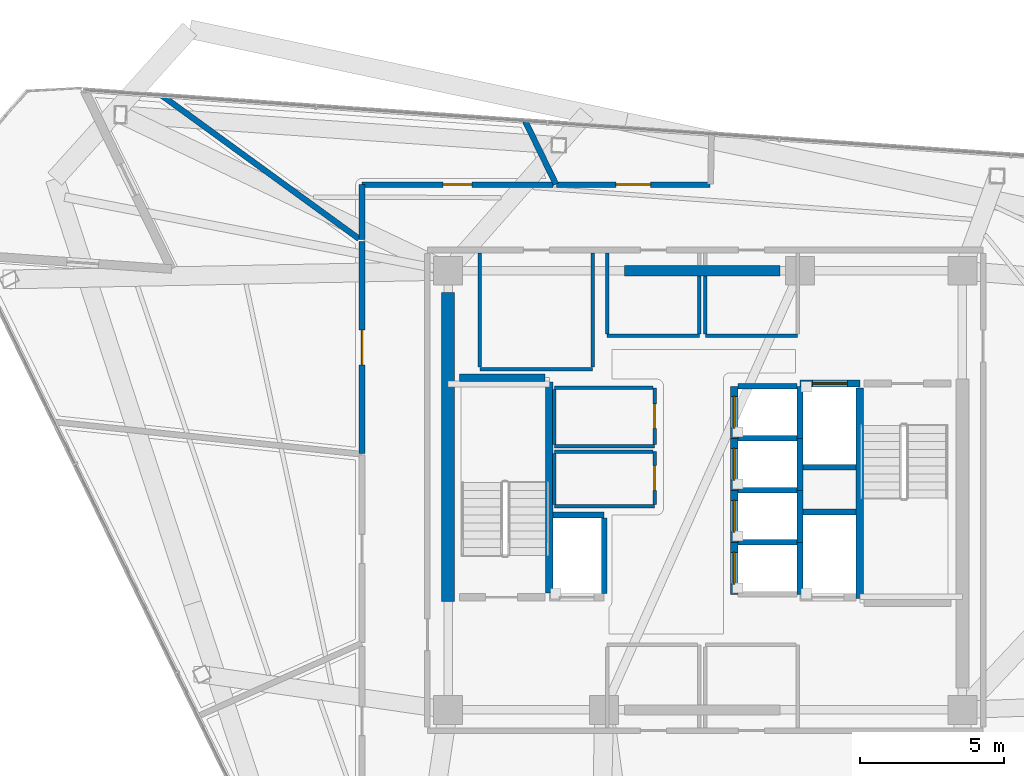
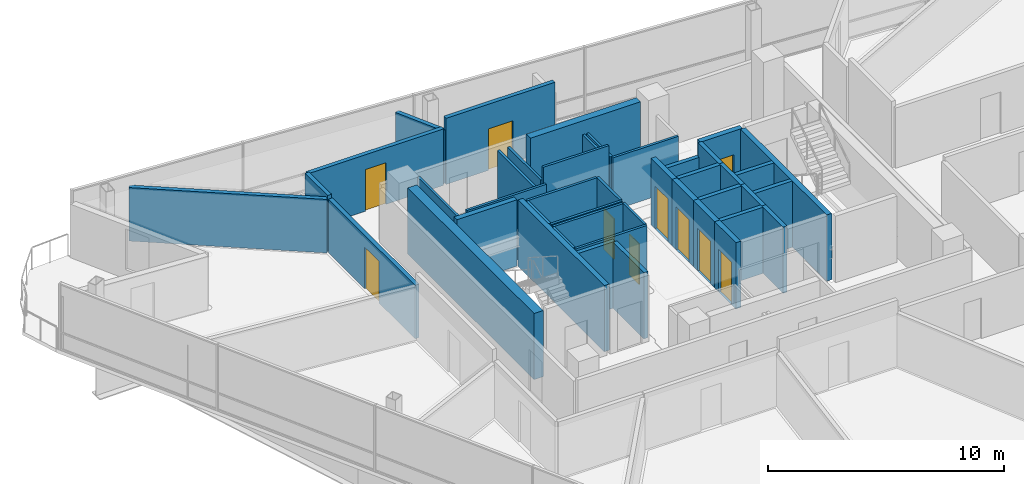
# One storey, part 10 of 14: 44 walls, 10 doors, 10 openings.
"""IFC4 building model written with IfcOpenShell, lengths in metres."""

from ifc_helpers import new_model, si_unit, direction, frame, frame_2d, origin, place, context, subcontext, project, spatial, rectangle, extrude, material, layer, layer_set, type_object, element, fill, save


model = new_model("IFC4")

# Units and contexts
model_context = context("Model", 3, precision=1e-05, world=origin(), true_north=direction((0.0, 1.0)))
body_context = subcontext(model_context, "Body", "Model", "MODEL_VIEW")
ifc_project = project(units=[si_unit("LENGTHUNIT", "METRE"), si_unit("AREAUNIT", "SQUARE_METRE"), si_unit("VOLUMEUNIT", "CUBIC_METRE"), si_unit("PLANEANGLEUNIT", "RADIAN"), si_unit("MASSUNIT", "GRAM", prefix="KILO")], contexts=[model_context])

# Site, building, storey
site_placement = place(None, origin())
site = spatial("IfcSite", under=ifc_project, at=site_placement, CompositionType="ELEMENT")
building_placement = place(site_placement, origin())
building = spatial("IfcBuilding", under=site, at=building_placement, Name="Tharavind Bronze Gate", CompositionType="ELEMENT")
storey_placement = place(building_placement, frame((0.0, 0.0, 227.050048828125)))
storey = spatial("IfcBuildingStorey", under=building, at=storey_placement, Name="L58", CompositionType="ELEMENT", Elevation=227.050048828125)

# Wall, opening, door
ifc_material_1 = material(Name="Aerated Concrete Block", Category="concrete")
ifc_layer_1 = layer(ifc_material_1, 0.199951171875)
ifc_layer_set_1 = layer_set([ifc_layer_1], Name="Aerated Concrete Block")
wall_type_1 = type_object("IfcWallType", Name="FIRE RATED PARTITION 200", PredefinedType="PARTITIONING", material=ifc_layer_set_1)
wall_1_placement = place(storey_placement, frame((0.16015625, 10.580078125, 0.0), z_axis=(0.0, 0.0, 1.0), x_axis=(-1.0, 0.0, 0.0)))
wall_1 = element("IfcWall", 1, at=wall_1_placement, inside=storey, type_object=wall_type_1, Name="L58 Consular Interview Room partition", PredefinedType="PARTITIONING", context=body_context, shape_type="SweptSolid", body=[
    extrude(rectangle(XDim=5.3046875, YDim=0.199951171875, at=frame_2d((2.65234375, 0.0))), origin(), (0.0, 0.0, 1.0), 3.419921875),
])
opening_1_placement = place(wall_1_placement, frame((2.052001953125, 0.0, 0.0)))
opening_1 = element("IfcOpeningElement", 2, at=opening_1_placement, cuts=wall_1, Name="Opening ID05", PredefinedType="OPENING", context=body_context, shape_type="SweptSolid", body=[
    extrude(rectangle(XDim=1.199951171875, YDim=2.14990234375, at=frame_2d((0.60009765625, 1.074951171875))), frame((0.0, 0.11009765625, 0.0), z_axis=(0.0, -1.0, 0.0), x_axis=(1.0, 0.0, 0.0)), (0.0, 0.0, 1.0), 0.219951171875),
])
ifc_material_2 = material(Name="Acoustic Laminated Glass", Category="glass")
door_type_1 = type_object("IfcDoorType", Name="MEETING ROOM GLAZED DOOR 1200X2150", OperationType="SINGLE_SWING_LEFT", PredefinedType="DOOR", material=ifc_material_2)
door_1_placement = place(opening_1_placement, origin())
door_1 = element("IfcDoor", 3, at=door_1_placement, inside=storey, type_object=door_type_1, Name="L58 Consular Interview Room door", OperationType="SINGLE_SWING_LEFT", OverallHeight=2.14990234375, OverallWidth=1.199951171875, PredefinedType="DOOR", context=body_context, shape_type="SweptSolid", body=[
    extrude(rectangle(XDim=1.199951171875, YDim=2.14990234375, at=frame_2d((0.60009765625, 1.074951171875))), frame((0.0, 0.02490234375, 0.0), z_axis=(0.0, -1.0, 0.0), x_axis=(1.0, 0.0, 0.0)), (0.0, 0.0, 1.0), 0.050048828125),
])
fill(opening_1, door_1)

# Walls
wall_2_placement = place(storey_placement, frame((-5.1669921875, 10.593994140625, 0.0), z_axis=(0.0, 0.0, 1.0), x_axis=(-0.43834839389, 0.898805143273, 0.0)))
element("IfcWall", 4, at=wall_2_placement, inside=storey, type_object=wall_type_1, Name="L58 Consular Interview Room partition", PredefinedType="PARTITIONING", context=body_context, shape_type="SweptSolid", body=[
    extrude(rectangle(XDim=2.429443359375, YDim=0.199951171875, at=frame_2d((1.21484375, 0.0))), origin(), (0.0, 0.0, 1.0), 2.764892578125),
])
wall_3_placement = place(storey_placement, frame((-11.8798828125, 10.579345703125, 0.0), z_axis=(0.0, 0.0, 1.0), x_axis=(0.0, -1.0, 0.0)))
element("IfcWall", 5, at=wall_3_placement, inside=storey, type_object=wall_type_1, Name="L58 Treaty Chancery Office partition", PredefinedType="PARTITIONING", context=body_context, shape_type="SweptSolid", body=[
    extrude(rectangle(XDim=1.89892578125, YDim=0.199951171875, at=frame_2d((0.949462890625, 0.0))), origin(), (0.0, 0.0, 1.0), 2.9150390625),
])
wall_4_placement = place(storey_placement, frame((-11.985107421875, 8.70751953125, 0.0), z_axis=(0.0, 0.0, 1.0), x_axis=(-0.809008125834, 0.587797458599, 0.0)))
element("IfcWall", 6, at=wall_4_placement, inside=storey, type_object=wall_type_1, Name="L58 Treaty Chancery Office partition", PredefinedType="PARTITIONING", context=body_context, shape_type="SweptSolid", body=[
    extrude(rectangle(XDim=8.418701171875, YDim=0.199951171875, at=frame_2d((4.20947265625, 0.0))), origin(), (0.0, 0.0, 1.0), 2.764892578125),
])

# Wall, opening, door
wall_5_placement = place(storey_placement, frame((-5.277099609375, 10.580078125, 0.0), z_axis=(0.0, 0.0, 1.0), x_axis=(-1.0, 0.0, 0.0)))
wall_5 = element("IfcWall", 7, at=wall_5_placement, inside=storey, type_object=wall_type_1, Name="L58 Treaty Chancery Office partition", PredefinedType="PARTITIONING", context=body_context, shape_type="SweptSolid", body=[
    extrude(rectangle(XDim=6.602294921875, YDim=0.199951171875, at=frame_2d((3.30126953125, 0.0))), origin(), (0.0, 0.0, 1.0), 2.9150390625),
])
opening_2_placement = place(wall_5_placement, frame((2.801025390625, 0.0, 0.0)))
opening_2 = element("IfcOpeningElement", 8, at=opening_2_placement, cuts=wall_5, Name="Opening ID04", PredefinedType="OPENING", context=body_context, shape_type="SweptSolid", body=[
    extrude(rectangle(XDim=1.0, YDim=2.14990234375, at=frame_2d((0.5, 1.074951171875))), frame((0.0, 0.11009765625, 0.0), z_axis=(0.0, -1.0, 0.0), x_axis=(1.0, 0.0, 0.0)), (0.0, 0.0, 1.0), 0.219951171875),
])
ifc_material_3 = material(Name="Bronze Framed Acoustic Timber", Category="wood")
door_type_2 = type_object("IfcDoorType", Name="OFFICE TENANCY DOOR 1000X2150", OperationType="SINGLE_SWING_RIGHT", PredefinedType="DOOR", material=ifc_material_3)
door_2_placement = place(opening_2_placement, origin())
door_2 = element("IfcDoor", 9, at=door_2_placement, inside=storey, type_object=door_type_2, Name="L58 Treaty Chancery Office door", OperationType="SINGLE_SWING_RIGHT", OverallHeight=2.14990234375, OverallWidth=1.0, PredefinedType="DOOR", context=body_context, shape_type="SweptSolid", body=[
    extrude(rectangle(XDim=1.0, YDim=2.14990234375, at=frame_2d((0.5, 1.074951171875))), frame((0.0, 0.02490234375, 0.0), z_axis=(0.0, -1.0, 0.0), x_axis=(1.0, 0.0, 0.0)), (0.0, 0.0, 1.0), 0.050048828125),
])
fill(opening_2, door_2)

wall_6_placement = place(storey_placement, frame((-11.8798828125, 8.61865234375, 0.0), z_axis=(0.0, 0.0, 1.0), x_axis=(0.0, -1.0, 0.0)))
wall_6 = element("IfcWall", 10, at=wall_6_placement, inside=storey, type_object=wall_type_1, Name="L58 Press Briefing Room partition", PredefinedType="PARTITIONING", context=body_context, shape_type="SweptSolid", body=[
    extrude(rectangle(XDim=7.34228515625, YDim=0.199951171875, at=frame_2d((3.671142578125, 0.0))), origin(), (0.0, 0.0, 1.0), 2.764892578125),
])
opening_3_placement = place(wall_6_placement, frame((3.071044921875, 0.0, 0.0)))
opening_3 = element("IfcOpeningElement", 11, at=opening_3_placement, cuts=wall_6, Name="Opening ID05", PredefinedType="OPENING", context=body_context, shape_type="SweptSolid", body=[
    extrude(rectangle(XDim=1.199951171875, YDim=2.14990234375, at=frame_2d((0.60009765625, 1.074951171875))), frame((0.0, 0.11009765625, 0.0), z_axis=(0.0, -1.0, 0.0), x_axis=(1.0, 0.0, 0.0)), (0.0, 0.0, 1.0), 0.219951171875),
])
door_3_placement = place(opening_3_placement, origin())
door_3 = element("IfcDoor", 12, at=door_3_placement, inside=storey, type_object=door_type_1, Name="L58 Press Briefing Room door", OperationType="SINGLE_SWING_LEFT", OverallHeight=2.14990234375, OverallWidth=1.199951171875, PredefinedType="DOOR", context=body_context, shape_type="SweptSolid", body=[
    extrude(rectangle(XDim=1.199951171875, YDim=2.14990234375, at=frame_2d((0.60009765625, 1.074951171875))), frame((0.0, 0.02490234375, 0.0), z_axis=(0.0, -1.0, 0.0), x_axis=(1.0, 0.0, 0.0)), (0.0, 0.0, 1.0), 0.050048828125),
])
fill(opening_3, door_3)

# Wall
ifc_material_4 = material(Name="Metal Stud Gypsum Partition", Category="gypsum")
ifc_layer_2 = layer(ifc_material_4, 0.1201171875)
ifc_layer_set_2 = layer_set([ifc_layer_2], Name="Metal Stud Gypsum Partition")
wall_type_2 = type_object("IfcWallType", Name="INTERIOR PARTITION WALL 120", PredefinedType="PARTITIONING", material=ifc_layer_set_2)
wall_7_placement = place(storey_placement, frame((-5.219970703125, 1.52001953125, 0.0), z_axis=(0.0, 0.0, 1.0), x_axis=(1.0, 0.0, 0.0)))
element("IfcWall", 13, at=wall_7_placement, inside=storey, type_object=wall_type_2, Name="L58 Cleaner Store Room partition 1", PredefinedType="PARTITIONING", context=body_context, shape_type="SweptSolid", body=[
    extrude(rectangle(XDim=3.469970703125, YDim=0.1201171875, at=frame_2d((1.73486328125, 0.0))), origin(), (0.0, 0.0, 1.0), 3.419921875),
])

# Wall, opening, door
wall_8_placement = place(storey_placement, frame((-1.75, 1.5849609375, 0.0), z_axis=(0.0, 0.0, 1.0), x_axis=(0.0, 1.0, 0.0)))
wall_8 = element("IfcWall", 14, at=wall_8_placement, inside=storey, type_object=wall_type_2, Name="L58 Cleaner Store Room partition 2", PredefinedType="PARTITIONING", context=body_context, shape_type="SweptSolid", body=[
    extrude(rectangle(XDim=1.965087890625, YDim=0.1201171875, at=frame_2d((0.982421875, 0.0))), origin(), (0.0, 0.0, 1.0), 3.419921875),
])
opening_4_placement = place(wall_8_placement, frame((0.556884765625, 0.0, 0.0)))
opening_4 = element("IfcOpeningElement", 15, at=opening_4_placement, cuts=wall_8, Name="Opening ID06", PredefinedType="OPENING", context=body_context, shape_type="SweptSolid", body=[
    extrude(rectangle(XDim=0.85009765625, YDim=2.10009765625, at=frame_2d((0.425048828125, 1.050048828125))), frame((0.0, 0.07005859375, 0.0), z_axis=(0.0, -1.0, 0.0), x_axis=(1.0, 0.0, 0.0)), (0.0, 0.0, 1.0), 0.1401171875),
])
ifc_material_5 = material(Name="Moisture-Resistant Timber", Category="wood")
door_type_3 = type_object("IfcDoorType", Name="BATHROOM PRIVACY DOOR 850X2100", OperationType="SINGLE_SWING_RIGHT", PredefinedType="DOOR", material=ifc_material_5)
door_4_placement = place(opening_4_placement, frame((0.85009765625, 0.0, 0.0), z_axis=(0.0, 0.0, 1.0), x_axis=(-1.0, 0.0, 0.0)))
door_4 = element("IfcDoor", 16, at=door_4_placement, inside=storey, type_object=door_type_3, Name="L58 Cleaner Store Room door", OperationType="SINGLE_SWING_RIGHT", OverallHeight=2.10009765625, OverallWidth=0.85009765625, PredefinedType="DOOR", context=body_context, shape_type="SweptSolid", body=[
    extrude(rectangle(XDim=0.85009765625, YDim=2.10009765625, at=frame_2d((0.425048828125, 1.050048828125))), frame((0.0, 0.02490234375, 0.0), z_axis=(0.0, -1.0, 0.0), x_axis=(1.0, 0.0, 0.0)), (0.0, 0.0, 1.0), 0.050048828125),
])
fill(opening_4, door_4)

# Walls
wall_9_placement = place(storey_placement, frame((-1.81494140625, 3.550048828125, 0.0), z_axis=(0.0, 0.0, 1.0), x_axis=(-1.0, 0.0, 0.0)))
element("IfcWall", 17, at=wall_9_placement, inside=storey, type_object=wall_type_2, Name="L58 Cleaner Store Room partition 3", PredefinedType="PARTITIONING", context=body_context, shape_type="SweptSolid", body=[
    extrude(rectangle(XDim=3.405029296875, YDim=0.1201171875, at=frame_2d((1.70263671875, 0.0))), origin(), (0.0, 0.0, 1.0), 3.419921875),
])
wall_10_placement = place(storey_placement, frame((-5.219970703125, 3.485107421875, 0.0), z_axis=(0.0, 0.0, 1.0), x_axis=(0.0, -1.0, 0.0)))
element("IfcWall", 18, at=wall_10_placement, inside=storey, type_object=wall_type_2, Name="L58 Cleaner Store Room partition 4", PredefinedType="PARTITIONING", context=body_context, shape_type="SweptSolid", body=[
    extrude(rectangle(XDim=1.900146484375, YDim=0.1201171875, at=frame_2d((0.9501953125, 0.0))), origin(), (0.0, 0.0, 1.0), 3.419921875),
])
wall_11_placement = place(storey_placement, frame((-5.219970703125, -0.550048828125, 0.0), z_axis=(0.0, 0.0, 1.0), x_axis=(1.0, 0.0, 0.0)))
element("IfcWall", 19, at=wall_11_placement, inside=storey, type_object=wall_type_2, Name="L58 Electrical Switch Room partition 1", PredefinedType="PARTITIONING", context=body_context, shape_type="SweptSolid", body=[
    extrude(rectangle(XDim=3.469970703125, YDim=0.1201171875, at=frame_2d((1.73486328125, 0.0))), origin(), (0.0, 0.0, 1.0), 3.419921875),
])

# Wall, opening, door
wall_12_placement = place(storey_placement, frame((-1.75, -0.485107421875, 0.0), z_axis=(0.0, 0.0, 1.0), x_axis=(0.0, 1.0, 0.0)))
wall_12 = element("IfcWall", 20, at=wall_12_placement, inside=storey, type_object=wall_type_2, Name="L58 Electrical Switch Room partition 2", PredefinedType="PARTITIONING", context=body_context, shape_type="SweptSolid", body=[
    extrude(rectangle(XDim=1.8251953125, YDim=0.1201171875, at=frame_2d((0.91259765625, 0.0))), origin(), (0.0, 0.0, 1.0), 3.419921875),
])
opening_5_placement = place(wall_12_placement, frame((0.488037109375, 0.0, 0.0)))
opening_5 = element("IfcOpeningElement", 21, at=opening_5_placement, cuts=wall_12, Name="Opening ID06", PredefinedType="OPENING", context=body_context, shape_type="SweptSolid", body=[
    extrude(rectangle(XDim=0.85009765625, YDim=2.10009765625, at=frame_2d((0.425048828125, 1.050048828125))), frame((0.0, 0.07005859375, 0.0), z_axis=(0.0, -1.0, 0.0), x_axis=(1.0, 0.0, 0.0)), (0.0, 0.0, 1.0), 0.1401171875),
])
door_5_placement = place(opening_5_placement, frame((0.85009765625, 0.0, 0.0), z_axis=(0.0, 0.0, 1.0), x_axis=(-1.0, 0.0, 0.0)))
door_5 = element("IfcDoor", 22, at=door_5_placement, inside=storey, type_object=door_type_3, Name="L58 Electrical Switch Room door", OperationType="SINGLE_SWING_RIGHT", OverallHeight=2.10009765625, OverallWidth=0.85009765625, PredefinedType="DOOR", context=body_context, shape_type="SweptSolid", body=[
    extrude(rectangle(XDim=0.85009765625, YDim=2.10009765625, at=frame_2d((0.425048828125, 1.050048828125))), frame((0.0, 0.02490234375, 0.0), z_axis=(0.0, -1.0, 0.0), x_axis=(1.0, 0.0, 0.0)), (0.0, 0.0, 1.0), 0.050048828125),
])
fill(opening_5, door_5)

# Walls
wall_13_placement = place(storey_placement, frame((-1.81494140625, 1.340087890625, 0.0), z_axis=(0.0, 0.0, 1.0), x_axis=(-1.0, 0.0, 0.0)))
element("IfcWall", 23, at=wall_13_placement, inside=storey, type_object=wall_type_2, Name="L58 Electrical Switch Room partition 3", PredefinedType="PARTITIONING", context=body_context, shape_type="SweptSolid", body=[
    extrude(rectangle(XDim=3.405029296875, YDim=0.1201171875, at=frame_2d((1.70263671875, 0.0))), origin(), (0.0, 0.0, 1.0), 3.419921875),
])
wall_14_placement = place(storey_placement, frame((-5.219970703125, 1.27490234375, 0.0), z_axis=(0.0, 0.0, 1.0), x_axis=(0.0, -1.0, 0.0)))
element("IfcWall", 24, at=wall_14_placement, inside=storey, type_object=wall_type_2, Name="L58 Electrical Switch Room partition 4", PredefinedType="PARTITIONING", context=body_context, shape_type="SweptSolid", body=[
    extrude(rectangle(XDim=1.760009765625, YDim=0.1201171875, at=frame_2d((0.8798828125, 0.0))), origin(), (0.0, 0.0, 1.0), 3.419921875),
])
wall_15_placement = place(storey_placement, frame((-3.39990234375, 5.35009765625, 0.0), z_axis=(0.0, 0.0, 1.0), x_axis=(1.0, 0.0, 0.0)))
element("IfcWall", 25, at=wall_15_placement, inside=storey, type_object=wall_type_2, Name="L58 Core Telemetry Room partition 1", PredefinedType="PARTITIONING", context=body_context, shape_type="SweptSolid", body=[
    extrude(rectangle(XDim=3.199951171875, YDim=0.1201171875, at=frame_2d((1.60009765625, 0.0))), origin(), (0.0, 0.0, 1.0), 3.419921875),
])
wall_16_placement = place(storey_placement, frame((-0.199951171875, 5.4150390625, 0.0), z_axis=(0.0, 0.0, 1.0), x_axis=(0.0, 1.0, 0.0)))
element("IfcWall", 26, at=wall_16_placement, inside=storey, type_object=wall_type_2, Name="L58 Core Telemetry Room partition 2", PredefinedType="PARTITIONING", context=body_context, shape_type="SweptSolid", body=[
    extrude(rectangle(XDim=2.0048828125, YDim=0.1201171875, at=frame_2d((1.00244140625, 0.0))), origin(), (0.0, 0.0, 1.0), 2.71484375),
])
wall_17_placement = place(storey_placement, frame((-3.39990234375, 8.215087890625, 0.0), z_axis=(0.0, 0.0, 1.0), x_axis=(0.0, -1.0, 0.0)))
element("IfcWall", 27, at=wall_17_placement, inside=storey, type_object=wall_type_2, Name="L58 Core Telemetry Room partition 4", PredefinedType="PARTITIONING", context=body_context, shape_type="SweptSolid", body=[
    extrude(rectangle(XDim=2.800048828125, YDim=0.1201171875, at=frame_2d((1.39990234375, 0.0))), origin(), (0.0, 0.0, 1.0), 2.71484375),
])
wall_18_placement = place(storey_placement, frame((0.0, 5.35009765625, 0.0), z_axis=(0.0, 0.0, 1.0), x_axis=(1.0, 0.0, 0.0)))
element("IfcWall", 28, at=wall_18_placement, inside=storey, type_object=wall_type_2, Name="L58 Core Battery Room partition 1", PredefinedType="PARTITIONING", context=body_context, shape_type="SweptSolid", body=[
    extrude(rectangle(XDim=3.199951171875, YDim=0.1201171875, at=frame_2d((1.60009765625, 0.0))), origin(), (0.0, 0.0, 1.0), 2.71484375),
])
wall_19_placement = place(storey_placement, frame((0.0, 7.419921875, 0.0), z_axis=(0.0, 0.0, 1.0), x_axis=(0.0, -1.0, 0.0)))
element("IfcWall", 29, at=wall_19_placement, inside=storey, type_object=wall_type_2, Name="L58 Core Battery Room partition 4", PredefinedType="PARTITIONING", context=body_context, shape_type="SweptSolid", body=[
    extrude(rectangle(XDim=2.0048828125, YDim=0.1201171875, at=frame_2d((1.00244140625, 0.0))), origin(), (0.0, 0.0, 1.0), 2.71484375),
])
wall_20_placement = place(storey_placement, frame((-7.800048828125, 4.199951171875, 0.0), z_axis=(0.0, 0.0, 1.0), x_axis=(1.0, 0.0, 0.0)))
element("IfcWall", 30, at=wall_20_placement, inside=storey, type_object=wall_type_2, Name="L58 Electrical Switch Room partition 1", PredefinedType="PARTITIONING", context=body_context, shape_type="SweptSolid", body=[
    extrude(rectangle(XDim=3.900146484375, YDim=0.1201171875, at=frame_2d((1.9501953125, 0.0))), origin(), (0.0, 0.0, 1.0), 3.419921875),
])
for number, where, z_axis, x_axis, name in (
    (31, (-3.89990234375, 4.264892578125, 0.0), (0.0, 0.0, 1.0), (0.0, 1.0, 0.0), "L58 Electrical Switch Room partition 2"),
    (32, (-7.800048828125, 8.215087890625, 0.0), (0.0, 0.0, 1.0), (0.0, -1.0, 0.0), "L58 Electrical Switch Room partition 4"),
):
    element("IfcWall", number, at=place(storey_placement, frame(where, z_axis=z_axis, x_axis=x_axis)), inside=storey, type_object=wall_type_2, Name=name, PredefinedType="PARTITIONING", context=body_context, shape_type="SweptSolid", body=[
        extrude(rectangle(XDim=3.9501953125, YDim=0.1201171875, at=frame_2d((1.97509765625, 0.0))), origin(), (0.0, 0.0, 1.0), 2.71484375),
    ])
ifc_material_6 = material(Name="Concrete C50/60", Category="concrete")
ifc_layer_3 = layer(ifc_material_6, 0.25)
ifc_layer_set_3 = layer_set([ifc_layer_3], Name="Concrete C50/60")
wall_type_3 = type_object("IfcWallType", Name="RC CORE SHEAR WALL 250", PredefinedType="SHEAR", material=ifc_layer_set_3)
wall_21_placement = place(storey_placement, frame((-5.39990234375, -3.550048828125, 0.0), z_axis=(0.0, 0.0, 1.0), x_axis=(0.0, 1.0, 0.0)))
element("IfcWall", 33, at=wall_21_placement, inside=storey, type_object=wall_type_3, Name="L58 ST1 shaft east wall", PredefinedType="SHEAR", context=body_context, shape_type="SweptSolid", body=[
    extrude(rectangle(XDim=7.300048828125, YDim=0.25, at=frame_2d((3.64990234375, 0.0))), origin(), (0.0, 0.0, 1.0), 3.419921875),
])
wall_22_placement = place(storey_placement, frame((-8.5, 3.89990234375, 0.0), z_axis=(0.0, 0.0, 1.0), x_axis=(1.0, 0.0, 0.0)))
element("IfcWall", 34, at=wall_22_placement, inside=storey, type_object=wall_type_3, Name="L58 ST1 shaft north wall", PredefinedType="SHEAR", context=body_context, shape_type="SweptSolid", body=[
    extrude(rectangle(XDim=2.949951171875, YDim=0.25, at=frame_2d((1.47509765625, 0.0))), origin(), (0.0, 0.0, 1.0), 3.419921875),
])
wall_23_placement = place(storey_placement, frame((5.35009765625, -3.75, 0.0), z_axis=(0.0, 0.0, 1.0), x_axis=(0.0, 1.0, 0.0)))
element("IfcWall", 35, at=wall_23_placement, inside=storey, type_object=wall_type_3, Name="L58 ST2 shaft west wall", PredefinedType="SHEAR", context=body_context, shape_type="SweptSolid", body=[
    extrude(rectangle(XDim=7.300048828125, YDim=0.25, at=frame_2d((3.64990234375, 0.0))), origin(), (0.0, 0.0, 1.0), 3.419921875),
])

# Wall, opening, door
wall_24_placement = place(storey_placement, frame((1.0, -3.60009765625, 0.0), z_axis=(0.0, 0.0, 1.0), x_axis=(0.0, 1.0, 0.0)))
wall_24 = element("IfcWall", 36, at=wall_24_placement, inside=storey, type_object=wall_type_3, Name="L58 lift PL9 shaft front wall", PredefinedType="SHEAR", context=body_context, shape_type="SweptSolid", body=[
    extrude(rectangle(XDim=1.800048828125, YDim=0.25, at=frame_2d((0.89990234375, 0.0))), origin(), (0.0, 0.0, 1.0), 3.419921875),
])
opening_6_placement = place(wall_24_placement, frame((0.35009765625, 0.0, 0.0)))
opening_6 = element("IfcOpeningElement", 37, at=opening_6_placement, cuts=wall_24, Name="Opening LD01", PredefinedType="OPENING", context=body_context, shape_type="SweptSolid", body=[
    extrude(rectangle(XDim=1.10009765625, YDim=2.199951171875, at=frame_2d((0.550048828125, 1.10009765625))), frame((0.0, 0.135, 0.0), z_axis=(0.0, -1.0, 0.0), x_axis=(1.0, 0.0, 0.0)), (0.0, 0.0, 1.0), 0.27),
])
ifc_material_7 = material(Name="Brushed Bronze Stainless Steel", Category="steel")
door_type_4 = type_object("IfcDoorType", Name="LIFT LANDING SLIDING DOOR 1100X2200", OperationType="SLIDING_TO_LEFT", PredefinedType="DOOR", material=ifc_material_7)
door_6_placement = place(opening_6_placement, origin())
door_6 = element("IfcDoor", 38, at=door_6_placement, inside=storey, type_object=door_type_4, Name="L58 lift PL9 sliding landing door", OperationType="SLIDING_TO_LEFT", OverallHeight=2.199951171875, OverallWidth=1.10009765625, PredefinedType="DOOR", context=body_context, shape_type="SweptSolid", body=[
    extrude(rectangle(XDim=1.10009765625, YDim=2.199951171875, at=frame_2d((0.550048828125, 1.10009765625))), frame((0.0, 0.02490234375, 0.0), z_axis=(0.0, -1.0, 0.0), x_axis=(1.0, 0.0, 0.0)), (0.0, 0.0, 1.0), 0.050048828125),
])
fill(opening_6, door_6)

wall_25_placement = place(storey_placement, frame((1.0, -1.800048828125, 0.0), z_axis=(0.0, 0.0, 1.0), x_axis=(0.0, 1.0, 0.0)))
wall_25 = element("IfcWall", 39, at=wall_25_placement, inside=storey, type_object=wall_type_3, Name="L58 lift PL10 shaft front wall", PredefinedType="SHEAR", context=body_context, shape_type="SweptSolid", body=[
    extrude(rectangle(XDim=1.800048828125, YDim=0.25, at=frame_2d((0.89990234375, 0.0))), origin(), (0.0, 0.0, 1.0), 3.419921875),
])
opening_7_placement = place(wall_25_placement, frame((0.35009765625, 0.0, 0.0)))
opening_7 = element("IfcOpeningElement", 40, at=opening_7_placement, cuts=wall_25, Name="Opening LD01", PredefinedType="OPENING", context=body_context, shape_type="SweptSolid", body=[
    extrude(rectangle(XDim=1.10009765625, YDim=2.199951171875, at=frame_2d((0.550048828125, 1.10009765625))), frame((0.0, 0.135, 0.0), z_axis=(0.0, -1.0, 0.0), x_axis=(1.0, 0.0, 0.0)), (0.0, 0.0, 1.0), 0.27),
])
door_7_placement = place(opening_7_placement, origin())
door_7 = element("IfcDoor", 41, at=door_7_placement, inside=storey, type_object=door_type_4, Name="L58 lift PL10 sliding landing door", OperationType="SLIDING_TO_LEFT", OverallHeight=2.199951171875, OverallWidth=1.10009765625, PredefinedType="DOOR", context=body_context, shape_type="SweptSolid", body=[
    extrude(rectangle(XDim=1.10009765625, YDim=2.199951171875, at=frame_2d((0.550048828125, 1.10009765625))), frame((0.0, 0.02490234375, 0.0), z_axis=(0.0, -1.0, 0.0), x_axis=(1.0, 0.0, 0.0)), (0.0, 0.0, 1.0), 0.050048828125),
])
fill(opening_7, door_7)

wall_26_placement = place(storey_placement, frame((1.0, 0.0, 0.0), z_axis=(0.0, 0.0, 1.0), x_axis=(0.0, 1.0, 0.0)))
wall_26 = element("IfcWall", 42, at=wall_26_placement, inside=storey, type_object=wall_type_3, Name="L58 lift PL11 shaft front wall", PredefinedType="SHEAR", context=body_context, shape_type="SweptSolid", body=[
    extrude(rectangle(XDim=1.800048828125, YDim=0.25, at=frame_2d((0.89990234375, 0.0))), origin(), (0.0, 0.0, 1.0), 3.419921875),
])
opening_8_placement = place(wall_26_placement, frame((0.35009765625, 0.0, 0.0)))
opening_8 = element("IfcOpeningElement", 43, at=opening_8_placement, cuts=wall_26, Name="Opening LD01", PredefinedType="OPENING", context=body_context, shape_type="SweptSolid", body=[
    extrude(rectangle(XDim=1.10009765625, YDim=2.199951171875, at=frame_2d((0.550048828125, 1.10009765625))), frame((0.0, 0.135, 0.0), z_axis=(0.0, -1.0, 0.0), x_axis=(1.0, 0.0, 0.0)), (0.0, 0.0, 1.0), 0.27),
])
door_8_placement = place(opening_8_placement, origin())
door_8 = element("IfcDoor", 44, at=door_8_placement, inside=storey, type_object=door_type_4, Name="L58 lift PL11 sliding landing door", OperationType="SLIDING_TO_LEFT", OverallHeight=2.199951171875, OverallWidth=1.10009765625, PredefinedType="DOOR", context=body_context, shape_type="SweptSolid", body=[
    extrude(rectangle(XDim=1.10009765625, YDim=2.199951171875, at=frame_2d((0.550048828125, 1.10009765625))), frame((0.0, 0.02490234375, 0.0), z_axis=(0.0, -1.0, 0.0), x_axis=(1.0, 0.0, 0.0)), (0.0, 0.0, 1.0), 0.050048828125),
])
fill(opening_8, door_8)

wall_27_placement = place(storey_placement, frame((1.0, 1.800048828125, 0.0), z_axis=(0.0, 0.0, 1.0), x_axis=(0.0, 1.0, 0.0)))
wall_27 = element("IfcWall", 45, at=wall_27_placement, inside=storey, type_object=wall_type_3, Name="L58 lift PL12 shaft front wall", PredefinedType="SHEAR", context=body_context, shape_type="SweptSolid", body=[
    extrude(rectangle(XDim=1.800048828125, YDim=0.25, at=frame_2d((0.89990234375, 0.0))), origin(), (0.0, 0.0, 1.0), 3.419921875),
])
opening_9_placement = place(wall_27_placement, frame((0.35009765625, 0.0, 0.0)))
opening_9 = element("IfcOpeningElement", 46, at=opening_9_placement, cuts=wall_27, Name="Opening LD01", PredefinedType="OPENING", context=body_context, shape_type="SweptSolid", body=[
    extrude(rectangle(XDim=1.10009765625, YDim=2.199951171875, at=frame_2d((0.550048828125, 1.10009765625))), frame((0.0, 0.135, 0.0), z_axis=(0.0, -1.0, 0.0), x_axis=(1.0, 0.0, 0.0)), (0.0, 0.0, 1.0), 0.27),
])
door_9_placement = place(opening_9_placement, origin())
door_9 = element("IfcDoor", 47, at=door_9_placement, inside=storey, type_object=door_type_4, Name="L58 lift PL12 sliding landing door", OperationType="SLIDING_TO_LEFT", OverallHeight=2.199951171875, OverallWidth=1.10009765625, PredefinedType="DOOR", context=body_context, shape_type="SweptSolid", body=[
    extrude(rectangle(XDim=1.10009765625, YDim=2.199951171875, at=frame_2d((0.550048828125, 1.10009765625))), frame((0.0, 0.02490234375, 0.0), z_axis=(0.0, -1.0, 0.0), x_axis=(1.0, 0.0, 0.0)), (0.0, 0.0, 1.0), 0.050048828125),
])
fill(opening_9, door_9)

wall_28_placement = place(storey_placement, frame((3.280029296875, 3.699951171875, 0.0), z_axis=(0.0, 0.0, 1.0), x_axis=(1.0, 0.0, 0.0)))
wall_28 = element("IfcWall", 48, at=wall_28_placement, inside=storey, type_object=wall_type_3, Name="L58 lift FFL2 shaft front wall", PredefinedType="SHEAR", context=body_context, shape_type="SweptSolid", body=[
    extrude(rectangle(XDim=2.070068359375, YDim=0.25, at=frame_2d((1.03515625, 0.0))), origin(), (0.0, 0.0, 1.0), 3.419921875),
])
opening_10_placement = place(wall_28_placement, frame((0.43505859375, 0.0, 0.0)))
opening_10 = element("IfcOpeningElement", 49, at=opening_10_placement, cuts=wall_28, Name="Opening LD02", PredefinedType="OPENING", context=body_context, shape_type="SweptSolid", body=[
    extrude(rectangle(XDim=1.199951171875, YDim=2.199951171875, at=frame_2d((0.60009765625, 1.10009765625))), frame((0.0, 0.135, 0.0), z_axis=(0.0, -1.0, 0.0), x_axis=(1.0, 0.0, 0.0)), (0.0, 0.0, 1.0), 0.27),
])
ifc_material_8 = material(Name="Brushed Stainless Steel", Category="steel")
door_type_5 = type_object("IfcDoorType", Name="FIREFIGHTING LIFT LANDING DOOR 1200X2200", OperationType="SLIDING_TO_RIGHT", PredefinedType="DOOR", material=ifc_material_8)
door_10_placement = place(opening_10_placement, origin())
door_10 = element("IfcDoor", 50, at=door_10_placement, inside=storey, type_object=door_type_5, Name="L58 lift FFL2 sliding landing door", OperationType="SLIDING_TO_RIGHT", OverallHeight=2.199951171875, OverallWidth=1.199951171875, PredefinedType="DOOR", context=body_context, shape_type="SweptSolid", body=[
    extrude(rectangle(XDim=1.199951171875, YDim=2.199951171875, at=frame_2d((0.60009765625, 1.10009765625))), frame((0.0, 0.02490234375, 0.0), z_axis=(0.0, -1.0, 0.0), x_axis=(1.0, 0.0, 0.0)), (0.0, 0.0, 1.0), 0.050048828125),
])
fill(opening_10, door_10)

# Walls
ifc_layer_4 = layer(ifc_material_6, 0.35009765625)
ifc_layer_set_4 = layer_set([ifc_layer_4], Name="Concrete C50/60")
wall_type_4 = type_object("IfcWallType", Name="RC CORE SHEAR WALL 350", PredefinedType="SHEAR", material=ifc_layer_set_4)
wall_29_placement = place(storey_placement, frame((-2.800048828125, 7.60009765625, 0.0), z_axis=(0.0, 0.0, 1.0), x_axis=(1.0, 0.0, 0.0)))
element("IfcWall", 51, at=wall_29_placement, inside=storey, type_object=wall_type_4, Name="L58 north core shear wall", PredefinedType="SHEAR", context=body_context, shape_type="SweptSolid", body=[
    extrude(rectangle(XDim=5.380126953125, YDim=0.35009765625, at=frame_2d((2.68994140625, 0.0))), origin(), (0.0, 0.0, 1.0), 3.419921875),
])
ifc_material_9 = material(Name="Concrete C60/75", Category="concrete")
ifc_layer_5 = layer(ifc_material_9, 0.449951171875)
ifc_layer_set_5 = layer_set([ifc_layer_5], Name="Concrete C60/75")
wall_type_5 = type_object("IfcWallType", Name="RC CORE SHEAR WALL 450", PredefinedType="SHEAR", material=ifc_layer_set_5)
wall_30_placement = place(storey_placement, frame((-8.89990234375, -3.85009765625, 0.0), z_axis=(0.0, 0.0, 1.0), x_axis=(0.0, 1.0, 0.0)))
element("IfcWall", 52, at=wall_30_placement, inside=storey, type_object=wall_type_5, Name="L58 west core shear wall", PredefinedType="SHEAR", context=body_context, shape_type="SweptSolid", body=[
    extrude(rectangle(XDim=10.7001953125, YDim=0.449951171875, at=frame_2d((5.35009765625, 0.0))), origin(), (0.0, 0.0, 1.0), 3.419921875),
])
ifc_material_10 = material(Name="Concrete C40/50", Category="concrete")
ifc_layer_6 = layer(ifc_material_10, 0.199951171875)
ifc_layer_set_6 = layer_set([ifc_layer_6], Name="Concrete C40/50")
wall_type_6 = type_object("IfcWallType", Name="SHAFT ENCLOSURE WALL 200", PredefinedType="PARTITIONING", material=ifc_layer_set_6)
wall_31_placement = place(storey_placement, frame((3.280029296875, -3.60009765625, 0.0), z_axis=(0.0, 0.0, 1.0), x_axis=(0.0, 1.0, 0.0)))
element("IfcWall", 53, at=wall_31_placement, inside=storey, type_object=wall_type_6, Name="L58 lift PL9 shaft E enclosure wall", PredefinedType="PARTITIONING", context=body_context, shape_type="SweptSolid", body=[
    extrude(rectangle(XDim=1.800048828125, YDim=0.199951171875, at=frame_2d((0.89990234375, 0.0))), origin(), (0.0, 0.0, 1.0), 3.419921875),
])
wall_32_placement = place(storey_placement, frame((1.1298828125, -1.800048828125, 0.0), z_axis=(0.0, 0.0, 1.0), x_axis=(1.0, 0.0, 0.0)))
element("IfcWall", 54, at=wall_32_placement, inside=storey, type_object=wall_type_6, Name="L58 lift PL9 shaft N enclosure wall", PredefinedType="PARTITIONING", context=body_context, shape_type="SweptSolid", body=[
    extrude(rectangle(XDim=2.045166015625, YDim=0.199951171875, at=frame_2d((1.0224609375, 0.0))), origin(), (0.0, 0.0, 1.0), 3.419921875),
])
wall_33_placement = place(storey_placement, frame((3.280029296875, -1.800048828125, 0.0), z_axis=(0.0, 0.0, 1.0), x_axis=(0.0, 1.0, 0.0)))
element("IfcWall", 55, at=wall_33_placement, inside=storey, type_object=wall_type_6, Name="L58 lift PL10 shaft E enclosure wall", PredefinedType="PARTITIONING", context=body_context, shape_type="SweptSolid", body=[
    extrude(rectangle(XDim=1.800048828125, YDim=0.199951171875, at=frame_2d((0.89990234375, 0.0))), origin(), (0.0, 0.0, 1.0), 3.419921875),
])
wall_34_placement = place(storey_placement, frame((1.1298828125, 0.0, 0.0), z_axis=(0.0, 0.0, 1.0), x_axis=(1.0, 0.0, 0.0)))
element("IfcWall", 56, at=wall_34_placement, inside=storey, type_object=wall_type_6, Name="L58 lift PL10 shaft N enclosure wall", PredefinedType="PARTITIONING", context=body_context, shape_type="SweptSolid", body=[
    extrude(rectangle(XDim=2.045166015625, YDim=0.199951171875, at=frame_2d((1.0224609375, 0.0))), origin(), (0.0, 0.0, 1.0), 3.419921875),
])
wall_35_placement = place(storey_placement, frame((3.280029296875, 0.0, 0.0), z_axis=(0.0, 0.0, 1.0), x_axis=(0.0, 1.0, 0.0)))
element("IfcWall", 57, at=wall_35_placement, inside=storey, type_object=wall_type_6, Name="L58 lift PL11 shaft E enclosure wall", PredefinedType="PARTITIONING", context=body_context, shape_type="SweptSolid", body=[
    extrude(rectangle(XDim=1.800048828125, YDim=0.199951171875, at=frame_2d((0.89990234375, 0.0))), origin(), (0.0, 0.0, 1.0), 3.419921875),
])
wall_36_placement = place(storey_placement, frame((1.1298828125, 1.800048828125, 0.0), z_axis=(0.0, 0.0, 1.0), x_axis=(1.0, 0.0, 0.0)))
element("IfcWall", 58, at=wall_36_placement, inside=storey, type_object=wall_type_6, Name="L58 lift PL11 shaft N enclosure wall", PredefinedType="PARTITIONING", context=body_context, shape_type="SweptSolid", body=[
    extrude(rectangle(XDim=2.045166015625, YDim=0.199951171875, at=frame_2d((1.0224609375, 0.0))), origin(), (0.0, 0.0, 1.0), 3.419921875),
])
wall_37_placement = place(storey_placement, frame((3.280029296875, 1.800048828125, 0.0), z_axis=(0.0, 0.0, 1.0), x_axis=(0.0, 1.0, 0.0)))
element("IfcWall", 59, at=wall_37_placement, inside=storey, type_object=wall_type_6, Name="L58 lift PL12 shaft E enclosure wall", PredefinedType="PARTITIONING", context=body_context, shape_type="SweptSolid", body=[
    extrude(rectangle(XDim=1.800048828125, YDim=0.199951171875, at=frame_2d((0.89990234375, 0.0))), origin(), (0.0, 0.0, 1.0), 3.419921875),
])
wall_38_placement = place(storey_placement, frame((1.1298828125, 3.60009765625, 0.0), z_axis=(0.0, 0.0, 1.0), x_axis=(1.0, 0.0, 0.0)))
element("IfcWall", 60, at=wall_38_placement, inside=storey, type_object=wall_type_6, Name="L58 lift PL12 shaft N enclosure wall", PredefinedType="PARTITIONING", context=body_context, shape_type="SweptSolid", body=[
    extrude(rectangle(XDim=2.045166015625, YDim=0.199951171875, at=frame_2d((1.0224609375, 0.0))), origin(), (0.0, 0.0, 1.0), 2.71484375),
])
wall_39_placement = place(storey_placement, frame((-5.27001953125, -0.85009765625, 0.0), z_axis=(0.0, 0.0, 1.0), x_axis=(1.0, 0.0, 0.0)))
element("IfcWall", 61, at=wall_39_placement, inside=storey, type_object=wall_type_6, Name="L58 lift FFL1 shaft N enclosure wall", PredefinedType="PARTITIONING", context=body_context, shape_type="SweptSolid", body=[
    extrude(rectangle(XDim=1.77001953125, YDim=0.199951171875, at=frame_2d((0.885009765625, 0.0))), origin(), (0.0, 0.0, 1.0), 3.419921875),
])
wall_40_placement = place(storey_placement, frame((-3.5, -3.570068359375, 0.0), z_axis=(0.0, 0.0, 1.0), x_axis=(0.0, 1.0, 0.0)))
element("IfcWall", 62, at=wall_40_placement, inside=storey, type_object=wall_type_6, Name="L58 lift FFL1 shaft E enclosure wall", PredefinedType="PARTITIONING", context=body_context, shape_type="SweptSolid", body=[
    extrude(rectangle(XDim=2.614990234375, YDim=0.199951171875, at=frame_2d((1.3076171875, 0.0))), origin(), (0.0, 0.0, 1.0), 3.419921875),
])
for number, where, z_axis, x_axis, name in (
    (63, (3.385009765625, 0.800048828125, 0.0), (0.0, 0.0, 1.0), (1.0, 0.0, 0.0), "L58 lift FFL2 shaft S enclosure wall"),
    (64, (3.385009765625, -0.75, 0.0), (0.0, 0.0, 1.0), (1.0, 0.0, 0.0), "L58 lift SVL1 shaft N enclosure wall"),
):
    element("IfcWall", number, at=place(storey_placement, frame(where, z_axis=z_axis, x_axis=x_axis)), inside=storey, type_object=wall_type_6, Name=name, PredefinedType="PARTITIONING", context=body_context, shape_type="SweptSolid", body=[
        extrude(rectangle(XDim=1.8349609375, YDim=0.199951171875, at=frame_2d((0.91748046875, 0.0))), origin(), (0.0, 0.0, 1.0), 3.419921875),
    ])

save(model, "model.ifc")
